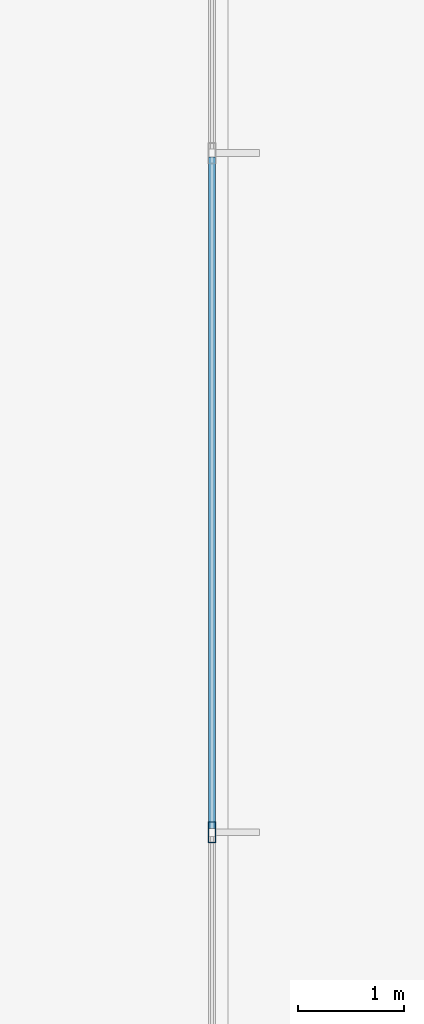
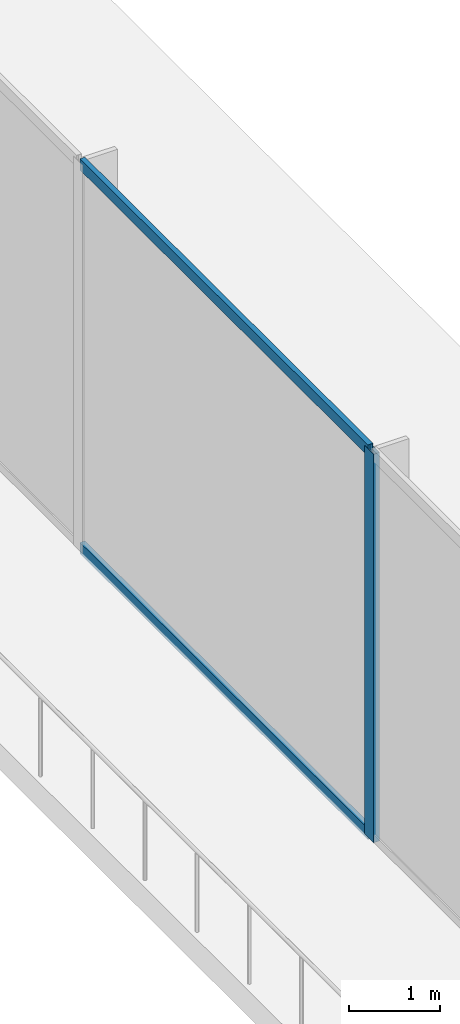
# One storey, part 15 of 38: 3 members, 1 element without a shape of its own.
"""IFC4 building model written with IfcOpenShell, lengths in metres."""

from ifc_helpers import new_model, si_unit, direction, frame, origin, origin_2d, place, context, subcontext, project, spatial, hollow_rectangle, extrude, material, layer, layer_set, material_profile, profile_set, type_object, element, aggregate, save


model = new_model("IFC4")

# Units and contexts
model_context = context("Model", 3, precision=1e-05, world=origin(), true_north=direction((0.0, 1.0)))
body_context = subcontext(model_context, "Body", "Model", "MODEL_VIEW")
ifc_project = project(units=[si_unit("LENGTHUNIT", "METRE"), si_unit("AREAUNIT", "SQUARE_METRE"), si_unit("VOLUMEUNIT", "CUBIC_METRE"), si_unit("PLANEANGLEUNIT", "RADIAN"), si_unit("MASSUNIT", "GRAM", prefix="KILO")], contexts=[model_context])

# Site, building, storey
site_placement = place(None, origin())
site = spatial("IfcSite", under=ifc_project, at=site_placement, CompositionType="ELEMENT")
building_placement = place(site_placement, origin())
building = spatial("IfcBuilding", under=site, at=building_placement, Name="Orvanel Arch Residences", CompositionType="ELEMENT")
storey_placement = place(building_placement, origin())
storey = spatial("IfcBuildingStorey", under=building, at=storey_placement, Name="L00", CompositionType="ELEMENT", Elevation=0.0)

# Curtain wall, members
ifc_material = material(Name="Bronze-anodised aluminium AA6063-T6", Category="aluminium")
ifc_layer = layer(ifc_material, 0.199951171875)
ifc_layer_set = layer_set([ifc_layer], Name="Bronze-anodised aluminium AA6063-T6")
curtain_wall_type = type_object("IfcCurtainWallType", Name="CW1-POD-SYS", PredefinedType="NOTDEFINED", material=ifc_layer_set)
curtain_wall_placement = place(storey_placement, origin())
curtain_wall = element("IfcCurtainWall", 1, at=curtain_wall_placement, inside=storey, type_object=curtain_wall_type, Name="L00 CW1-POD-SYS Unitised Curtain Wall", PredefinedType="NOTDEFINED")
ifc_material_profile_1 = material_profile(ifc_material, hollow_rectangle(XDim=0.074951171875, YDim=0.199951171875, WallThickness=0.0048828125, at=origin_2d()), Name="ALU200x75x5")
ifc_profile_set_1 = profile_set([ifc_material_profile_1], Name="Bronze-anodised aluminium AA6063-T6")
member_type_1 = type_object("IfcMemberType", Name="MUL-200x75", PredefinedType="MULLION", material=ifc_profile_set_1)
member_1_placement = place(storey_placement, frame((64.449951171875, 21.111328125, 0.0), z_axis=(0.0, 0.0, 1.0), x_axis=(-1.0, 0.0, 0.0)))
member_1 = element("IfcMember", 2, at=member_1_placement, type_object=member_type_1, Name="CW-S1 mullion 4", PredefinedType="MULLION", context=body_context, shape_type="SweptSolid", body=[
    extrude(hollow_rectangle(XDim=0.074951171875, YDim=0.199951171875, WallThickness=0.0048828125, at=origin_2d()), origin(), (0.0, 0.0, 1.0), 5.219970703125),
])
ifc_material_profile_2 = material_profile(ifc_material, hollow_rectangle(XDim=0.06494140625, YDim=0.14990234375, WallThickness=0.00390625, at=origin_2d()), Name="ALU150x65x4")
ifc_profile_set_2 = profile_set([ifc_material_profile_2], Name="Bronze-anodised aluminium AA6063-T6")
member_type_2 = type_object("IfcMemberType", Name="TRN-150x65", PredefinedType="USERDEFINED", material=ifc_profile_set_2)
member_2_placement = place(storey_placement, frame((64.449951171875, 21.148681640625, 0.032470703125), z_axis=(0.0, 1.0, 0.0), x_axis=(-1.0, 0.0, 0.0)))
member_2 = element("IfcMember", 3, at=member_2_placement, type_object=member_type_2, Name="CW-S1 transom 4.1", ObjectType="TRANSOM", PredefinedType="USERDEFINED", context=body_context, shape_type="SweptSolid", body=[
    extrude(hollow_rectangle(XDim=0.06494140625, YDim=0.14990234375, WallThickness=0.00390625, at=origin_2d()), origin(), (0.0, 0.0, 1.0), 6.3388671875),
])
member_3_placement = place(storey_placement, frame((64.449951171875, 21.148681640625, 5.1875), z_axis=(0.0, 1.0, 0.0), x_axis=(-1.0, 0.0, 0.0)))
member_3 = element("IfcMember", 4, at=member_3_placement, type_object=member_type_2, Name="CW-S1 transom 4.2", ObjectType="TRANSOM", PredefinedType="USERDEFINED", context=body_context, shape_type="SweptSolid", body=[
    extrude(hollow_rectangle(XDim=0.06494140625, YDim=0.14990234375, WallThickness=0.00390625, at=origin_2d()), origin(), (0.0, 0.0, 1.0), 6.3388671875),
])
aggregate(curtain_wall, [member_1, member_2, member_3])

save(model, "model.ifc")
